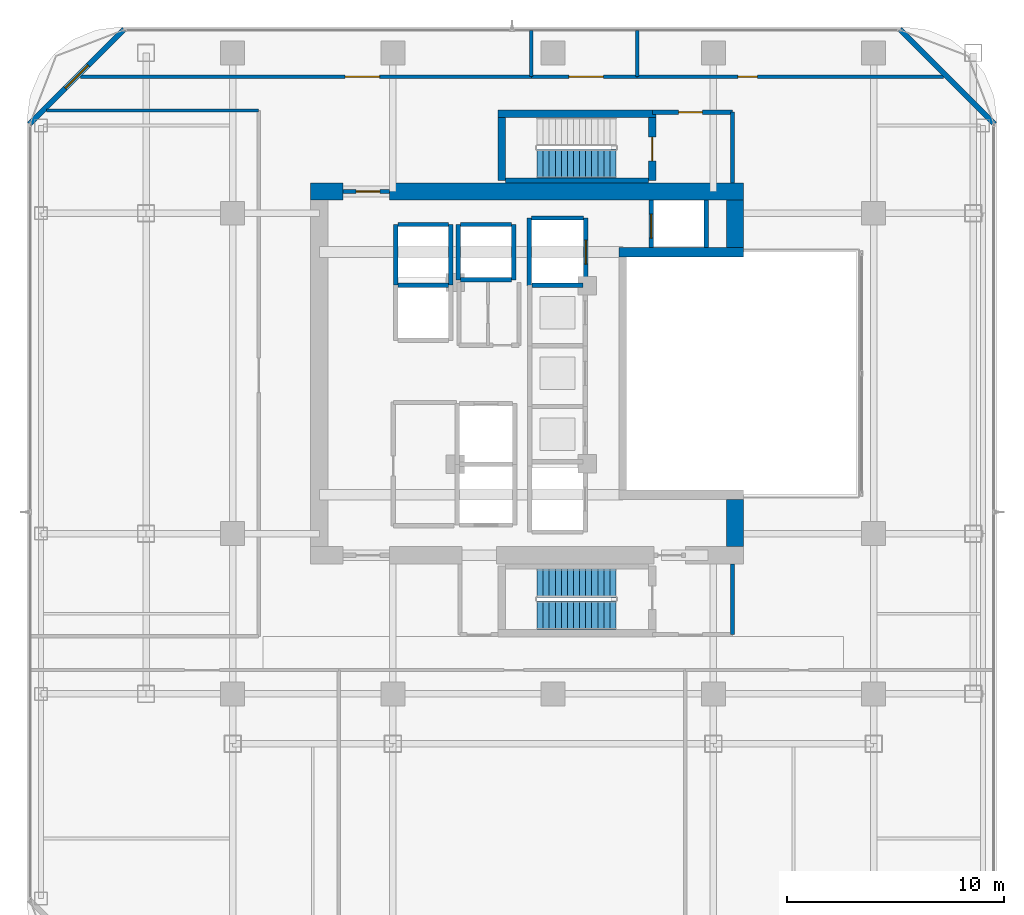
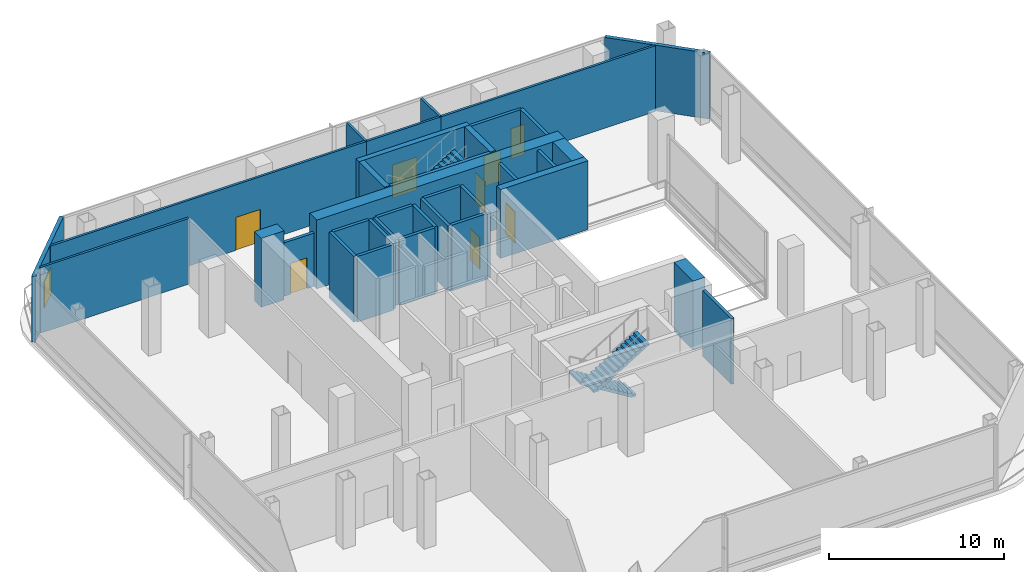
# One storey, part 17 of 22: 35 walls, 8 doors, 3 stair flights, 1 window, 9 openings, 2 elements without a shape of their own.
"""IFC4 building model written with IfcOpenShell, lengths in metres."""

from ifc_helpers import new_model, si_unit, direction, frame, frame_2d, origin, place, context, subcontext, project, spatial, polyline, rectangle, outline, extrude, material, layer, layer_set, type_object, element, fill, aggregate, save


model = new_model("IFC4")

# Units and contexts
model_context = context("Model", 3, precision=1e-05, world=origin(), true_north=direction((0.0, 1.0)))
body_context = subcontext(model_context, "Body", "Model", "MODEL_VIEW")
ifc_project = project(units=[si_unit("LENGTHUNIT", "METRE"), si_unit("AREAUNIT", "SQUARE_METRE"), si_unit("VOLUMEUNIT", "CUBIC_METRE"), si_unit("PLANEANGLEUNIT", "RADIAN"), si_unit("MASSUNIT", "GRAM", prefix="KILO")], contexts=[model_context])

# Site, building, storey
site_placement = place(None, origin())
site = spatial("IfcSite", under=ifc_project, at=site_placement, CompositionType="ELEMENT")
building_placement = place(site_placement, origin())
building = spatial("IfcBuilding", under=site, at=building_placement, Name="Khorvyn Point Tower", CompositionType="ELEMENT")
storey_placement = place(building_placement, frame((0.0, 0.0, 210.89990234375)))
storey = spatial("IfcBuildingStorey", under=building, at=storey_placement, Name="L52", CompositionType="ELEMENT", Elevation=210.89990234375)

# Wall, opening, window
ifc_material_1 = material(Name="Pale anodised aluminium rainscreen on steel stud", Category="steel")
ifc_layer_1 = layer(ifc_material_1, 0.239990234375)
ifc_layer_set_1 = layer_set([ifc_layer_1], Name="Anodised Aluminium Insulated Corner Spandrel Wall 240")
wall_type_1 = type_object("IfcWallType", Name="Anodised Aluminium Insulated Corner Spandrel Wall 240", PredefinedType="SOLIDWALL", material=ifc_layer_set_1)
wall_1_placement = place(storey_placement, frame((-24.1923828125, 11.507568359375, 0.0), z_axis=(0.0, 0.0, 1.0), x_axis=(0.707106781187, 0.707106781187, 0.0)))
wall_1 = element("IfcWall", 1, at=wall_1_placement, inside=storey, type_object=wall_type_1, Name="L52 Rounded Corner Wall NW", PredefinedType="SOLIDWALL", context=body_context, shape_type="SweptSolid", body=[
    extrude(rectangle(XDim=6.200927734375, YDim=0.239990234375, at=frame_2d((3.1005859375, 0.0))), origin(), (0.0, 0.0, 1.0), 4.580078125),
])
opening_1_placement = place(wall_1_placement, frame((2.3505859375, 0.0, 0.800048828125)))
opening_1 = element("IfcOpeningElement", 2, at=opening_1_placement, cuts=wall_1, Name="Opening WN-1518", PredefinedType="OPENING", context=body_context, shape_type="SweptSolid", body=[
    extrude(rectangle(XDim=1.5, YDim=1.85009765625, at=frame_2d((0.75, 0.925048828125))), frame((0.0, 0.1298828125, 0.0), z_axis=(0.0, -1.0, 0.0), x_axis=(1.0, 0.0, 0.0)), (0.0, 0.0, 1.0), 0.260009765625),
])
ifc_material_2 = material(Name="Anodised aluminium 6063-T6 and laminated Low-E glass", Category="aluminium")
window_type = type_object("IfcWindowType", Name="Anodised Aluminium Rounded-Corner Panoramic Window 1500x1850", PartitioningType="SINGLE_PANEL", PredefinedType="WINDOW", material=ifc_material_2)
window_placement = place(opening_1_placement, origin())
window = element("IfcWindow", 3, at=window_placement, inside=storey, type_object=window_type, Name="L52 Corner Panoramic Window NW", OverallHeight=1.85009765625, OverallWidth=1.5, PartitioningType="SINGLE_PANEL", PredefinedType="WINDOW", context=body_context, shape_type="SweptSolid", body=[
    extrude(rectangle(XDim=1.5, YDim=1.85009765625, at=frame_2d((0.75, 0.925048828125))), frame((0.0, 0.030029296875, 0.0), z_axis=(0.0, -1.0, 0.0), x_axis=(1.0, 0.0, 0.0)), (0.0, 0.0, 1.0), 0.06005859375),
])
fill(opening_1, window)

# Walls
wall_2_placement = place(storey_placement, frame((16.007568359375, 15.892333984375, 0.0), z_axis=(0.0, 0.0, 1.0), x_axis=(0.707106781187, -0.707106781187, 0.0)))
element("IfcWall", 4, at=wall_2_placement, inside=storey, type_object=wall_type_1, Name="L52 Rounded Corner Wall NE", PredefinedType="SOLIDWALL", context=body_context, shape_type="SweptSolid", body=[
    extrude(rectangle(XDim=6.200927734375, YDim=0.239990234375, at=frame_2d((3.1005859375, 0.0))), origin(), (0.0, 0.0, 1.0), 4.580078125),
])
ifc_material_3 = material(Name="Concrete C40/50", Category="concrete")
ifc_layer_2 = layer(ifc_material_3, 0.449951171875)
ifc_layer_set_2 = layer_set([ifc_layer_2], Name="Concrete C40/50 Core Shear Wall 450")
wall_type_2 = type_object("IfcWallType", Name="Concrete C40/50 Core Shear Wall 450", PredefinedType="SHEAR", material=ifc_layer_set_2)
wall_3_placement = place(storey_placement, frame((3.044921875, 5.60009765625, 0.0), z_axis=(0.0, 0.0, 1.0), x_axis=(1.0, 0.0, 0.0)))
element("IfcWall", 5, at=wall_3_placement, inside=storey, type_object=wall_type_2, Name="Wall", PredefinedType="SHEAR", context=body_context, shape_type="SweptSolid", body=[
    extrude(rectangle(XDim=5.755126953125, YDim=0.449951171875, at=frame_2d((2.87744140625, 0.0))), origin(), (0.0, 0.0, 1.0), 4.800048828125),
])

# Wall, opening, door
ifc_layer_3 = layer(ifc_material_3, 0.199951171875)
ifc_layer_set_3 = layer_set([ifc_layer_3], Name="Concrete C40/50 Fire-Lobby Compartment Wall 200")
wall_type_3 = type_object("IfcWallType", Name="Concrete C40/50 Fire-Lobby Compartment Wall 200", PredefinedType="SOLIDWALL", material=ifc_layer_set_3)
wall_4_placement = place(storey_placement, frame((4.580078125, 12.06005859375, 0.0), z_axis=(0.0, 0.0, 1.0), x_axis=(1.0, 0.0, 0.0)))
wall_4 = element("IfcWall", 6, at=wall_4_placement, inside=storey, type_object=wall_type_3, Name="Wall", PredefinedType="SOLIDWALL", context=body_context, shape_type="SweptSolid", body=[
    extrude(rectangle(XDim=3.699951171875, YDim=0.199951171875, at=frame_2d((1.85009765625, 0.0))), origin(), (0.0, 0.0, 1.0), 4.580078125),
])
opening_2_placement = place(wall_4_placement, frame((1.21240234375, 0.0, 0.0)))
opening_2 = element("IfcOpeningElement", 7, at=opening_2_placement, cuts=wall_4, Name="Opening ID-FL90", PredefinedType="OPENING", context=body_context, shape_type="SweptSolid", body=[
    extrude(rectangle(XDim=1.10009765625, YDim=2.14990234375, at=frame_2d((0.550048828125, 1.074951171875))), frame((0.0, 0.10986328125, 0.0), z_axis=(0.0, -1.0, 0.0), x_axis=(1.0, 0.0, 0.0)), (0.0, 0.0, 1.0), 0.219970703125),
])
ifc_material_4 = material(Name="Galvanised powder-coated steel", Category="steel")
door_type_1 = type_object("IfcDoorType", Name="Fire-Rated Steel Lobby and Stair Door 1100x2150", OperationType="NOTDEFINED", PredefinedType="DOOR", material=ifc_material_4)
door_1_placement = place(opening_2_placement, origin())
door_1 = element("IfcDoor", 8, at=door_1_placement, inside=storey, type_object=door_type_1, Name="Door", OperationType="SINGLE_SWING_LEFT", OverallHeight=2.14990234375, OverallWidth=1.10009765625, PredefinedType="DOOR", context=body_context, shape_type="SweptSolid", body=[
    extrude(rectangle(XDim=1.10009765625, YDim=2.14990234375, at=frame_2d((0.550048828125, 1.074951171875))), frame((0.0, 0.02490234375, 0.0), z_axis=(0.0, -1.0, 0.0), x_axis=(1.0, 0.0, 0.0)), (0.0, 0.0, 1.0), 0.050048828125),
])
fill(opening_2, door_1)

wall_5_placement = place(storey_placement, frame((-9.699951171875, 8.39990234375, 0.0), z_axis=(0.0, 0.0, 1.0), x_axis=(1.0, 0.0, 0.0)))
wall_5 = element("IfcWall", 9, at=wall_5_placement, inside=storey, type_object=wall_type_3, Name="Wall", PredefinedType="SOLIDWALL", context=body_context, shape_type="SweptSolid", body=[
    extrude(rectangle(XDim=2.14990234375, YDim=0.199951171875, at=frame_2d((1.074951171875, 0.0))), origin(), (0.0, 0.0, 1.0), 3.72021484375),
])
opening_3_placement = place(wall_5_placement, frame((0.597900390625, 0.0, 0.0)))
opening_3 = element("IfcOpeningElement", 10, at=opening_3_placement, cuts=wall_5, Name="Opening ID-FL90", PredefinedType="OPENING", context=body_context, shape_type="SweptSolid", body=[
    extrude(rectangle(XDim=1.10009765625, YDim=2.14990234375, at=frame_2d((0.550048828125, 1.074951171875))), frame((0.0, 0.10986328125, 0.0), z_axis=(0.0, -1.0, 0.0), x_axis=(1.0, 0.0, 0.0)), (0.0, 0.0, 1.0), 0.219970703125),
])
door_2_placement = place(opening_3_placement, origin())
door_2 = element("IfcDoor", 11, at=door_2_placement, inside=storey, type_object=door_type_1, Name="Door", OperationType="SINGLE_SWING_LEFT", OverallHeight=2.14990234375, OverallWidth=1.10009765625, PredefinedType="DOOR", context=body_context, shape_type="SweptSolid", body=[
    extrude(rectangle(XDim=1.10009765625, YDim=2.14990234375, at=frame_2d((0.550048828125, 1.074951171875))), frame((0.0, 0.02490234375, 0.0), z_axis=(0.0, -1.0, 0.0), x_axis=(1.0, 0.0, 0.0)), (0.0, 0.0, 1.0), 0.050048828125),
])
fill(opening_3, door_2)

# Walls
for number, where, z_axis, x_axis, name in (
    (12, (8.280029296875, -12.06005859375, 0.0), (0.0, 0.0, 1.0), (0.0, 1.0, 0.0), "Wall"),
    (13, (8.280029296875, 8.800048828125, 0.0), (0.0, 0.0, 1.0), (0.0, 1.0, 0.0), "Wall"),
):
    element("IfcWall", number, at=place(storey_placement, frame(where, z_axis=z_axis, x_axis=x_axis)), inside=storey, type_object=wall_type_3, Name=name, PredefinedType="SOLIDWALL", context=body_context, shape_type="SweptSolid", body=[
        extrude(rectangle(XDim=3.260009765625, YDim=0.199951171875, at=frame_2d((1.6298828125, 0.0))), origin(), (0.0, 0.0, 1.0), 4.580078125),
    ])
ifc_layer_4 = layer(ifc_material_3, 0.25)
ifc_layer_set_4 = layer_set([ifc_layer_4], Name="Concrete C40/50 Stair Inner Cheek Structural Wall 250")
wall_type_4 = type_object("IfcWallType", Name="Concrete C40/50 Stair Inner Cheek Structural Wall 250", PredefinedType="SHEAR", material=ifc_layer_set_4)
wall_6_placement = place(storey_placement, frame((-2.199951171875, 8.91259765625, 0.0), z_axis=(0.0, 0.0, 1.0), x_axis=(1.0, 0.0, 0.0)))
element("IfcWall", 14, at=wall_6_placement, inside=storey, type_object=wall_type_4, Name="Wall", PredefinedType="SHEAR", context=body_context, shape_type="SweptSolid", body=[
    extrude(rectangle(XDim=6.599853515625, YDim=0.22509765625, at=frame_2d((3.2998046875, 0.0))), origin(), (0.0, 0.0, 1.0), 4.800048828125),
])
ifc_layer_5 = layer(ifc_material_3, 0.35009765625)
ifc_layer_set_5 = layer_set([ifc_layer_5], Name="Concrete C40/50 Stair Shaft Structural Wall 350")
wall_type_5 = type_object("IfcWallType", Name="Concrete C40/50 Stair Shaft Structural Wall 350", PredefinedType="SHEAR", material=ifc_layer_set_5)
wall_7_placement = place(storey_placement, frame((-2.554931640625, 12.0, 0.0), z_axis=(0.0, 0.0, 1.0), x_axis=(1.0, 0.0, 0.0)))
element("IfcWall", 15, at=wall_7_placement, inside=storey, type_object=wall_type_5, Name="L52 ST-02 North Shaft Wall", PredefinedType="SHEAR", context=body_context, shape_type="SweptSolid", body=[
    extrude(rectangle(XDim=7.309814453125, YDim=0.35009765625, at=frame_2d((3.65478515625, 0.0))), origin(), (0.0, 0.0, 1.0), 4.800048828125),
])
wall_8_placement = place(storey_placement, frame((-2.3798828125, 8.89990234375, 0.0), z_axis=(0.0, 0.0, 1.0), x_axis=(0.0, 1.0, 0.0)))
element("IfcWall", 16, at=wall_8_placement, inside=storey, type_object=wall_type_5, Name="L52 ST-02 West Shaft Wall", PredefinedType="SHEAR", context=body_context, shape_type="SweptSolid", body=[
    extrude(rectangle(XDim=2.925048828125, YDim=0.35009765625, at=frame_2d((1.46240234375, 0.0))), origin(), (0.0, 0.0, 1.0), 4.800048828125),
])

# Wall, opening, door
wall_9_placement = place(storey_placement, frame((4.580078125, 11.824951171875, 0.0), z_axis=(0.0, 0.0, 1.0), x_axis=(0.0, -1.0, 0.0)))
wall_9 = element("IfcWall", 17, at=wall_9_placement, inside=storey, type_object=wall_type_5, Name="L52 ST-02 East Landing Door Wall", PredefinedType="SHEAR", context=body_context, shape_type="SweptSolid", body=[
    extrude(rectangle(XDim=2.925048828125, YDim=0.35009765625, at=frame_2d((1.46240234375, 0.0))), origin(), (0.0, 0.0, 1.0), 4.800048828125),
])
opening_4_placement = place(wall_9_placement, frame((0.91259765625, 0.0, 0.0)))
opening_4 = element("IfcOpeningElement", 18, at=opening_4_placement, cuts=wall_9, Name="Opening ID-FL90", PredefinedType="OPENING", context=body_context, shape_type="SweptSolid", body=[
    extrude(rectangle(XDim=1.10009765625, YDim=2.14990234375, at=frame_2d((0.550048828125, 1.074951171875))), frame((0.0, 0.18505859375, 0.0), z_axis=(0.0, -1.0, 0.0), x_axis=(1.0, 0.0, 0.0)), (0.0, 0.0, 1.0), 0.3701171875),
])
door_3_placement = place(opening_4_placement, origin())
door_3 = element("IfcDoor", 19, at=door_3_placement, inside=storey, type_object=door_type_1, Name="L52 ST-02 Smokeproof Landing Door", OperationType="SINGLE_SWING_LEFT", OverallHeight=2.14990234375, OverallWidth=1.10009765625, PredefinedType="DOOR", context=body_context, shape_type="SweptSolid", body=[
    extrude(rectangle(XDim=1.10009765625, YDim=2.14990234375, at=frame_2d((0.550048828125, 1.074951171875))), frame((0.0, 0.02490234375, 0.0), z_axis=(0.0, -1.0, 0.0), x_axis=(1.0, 0.0, 0.0)), (0.0, 0.0, 1.0), 0.050048828125),
])
fill(opening_4, door_3)

# Walls
ifc_layer_6 = layer(ifc_material_3, 0.199951171875)
ifc_layer_set_6 = layer_set([ifc_layer_6], Name="Concrete C40/50 Structural Hoistway and Stair Shaft Wall 200")
wall_type_6 = type_object("IfcWallType", Name="Concrete C40/50 Structural Hoistway and Stair Shaft Wall 200", PredefinedType="SHEAR", material=ifc_layer_set_6)
wall_10_placement = place(storey_placement, frame((-7.175048828125, 4.074951171875, 0.0), z_axis=(0.0, 0.0, 1.0), x_axis=(1.0, 0.0, 0.0)))
element("IfcWall", 20, at=wall_10_placement, inside=storey, type_object=wall_type_6, Name="Wall", PredefinedType="SHEAR", context=body_context, shape_type="SweptSolid", body=[
    extrude(rectangle(XDim=2.35009765625, YDim=0.199951171875, at=frame_2d((1.175048828125, 0.0))), origin(), (0.0, 0.0, 1.0), 4.580078125),
])
for number, where, z_axis, x_axis, name in (
    (21, (-7.27490234375, 4.074951171875, 0.0), (0.0, 0.0, 1.0), (0.0, 1.0, 0.0), "Wall"),
    (22, (-4.72509765625, 4.074951171875, 0.0), (0.0, 0.0, 1.0), (0.0, 1.0, 0.0), "Wall"),
):
    element("IfcWall", number, at=place(storey_placement, frame(where, z_axis=z_axis, x_axis=x_axis)), inside=storey, type_object=wall_type_6, Name=name, PredefinedType="SHEAR", context=body_context, shape_type="SweptSolid", body=[
        extrude(rectangle(XDim=2.800048828125, YDim=0.199951171875, at=frame_2d((1.39990234375, 0.0))), origin(), (0.0, 0.0, 1.0), 4.580078125),
    ])
wall_11_placement = place(storey_placement, frame((-7.175048828125, 6.875, 0.0), z_axis=(0.0, 0.0, 1.0), x_axis=(1.0, 0.0, 0.0)))
element("IfcWall", 23, at=wall_11_placement, inside=storey, type_object=wall_type_6, Name="Wall", PredefinedType="SHEAR", context=body_context, shape_type="SweptSolid", body=[
    extrude(rectangle(XDim=2.35009765625, YDim=0.199951171875, at=frame_2d((1.175048828125, 0.0))), origin(), (0.0, 0.0, 1.0), 4.580078125),
])
for number, where, z_axis, x_axis, name in (
    (24, (-4.375, 4.324951171875, 0.0), (0.0, 0.0, 1.0), (0.0, 1.0, 0.0), "Wall"),
    (25, (-1.824951171875, 4.324951171875, 0.0), (0.0, 0.0, 1.0), (0.0, 1.0, 0.0), "Wall"),
):
    element("IfcWall", number, at=place(storey_placement, frame(where, z_axis=z_axis, x_axis=x_axis)), inside=storey, type_object=wall_type_6, Name=name, PredefinedType="SHEAR", context=body_context, shape_type="SweptSolid", body=[
        extrude(rectangle(XDim=2.550048828125, YDim=0.199951171875, at=frame_2d((1.27490234375, 0.0))), origin(), (0.0, 0.0, 1.0), 4.580078125),
    ])
for number, where, z_axis, x_axis, name in (
    (26, (-4.27490234375, 4.324951171875, 0.0), (0.0, 0.0, 1.0), (1.0, 0.0, 0.0), "Wall"),
    (27, (-4.27490234375, 6.875, 0.0), (0.0, 0.0, 1.0), (1.0, 0.0, 0.0), "Wall"),
):
    element("IfcWall", number, at=place(storey_placement, frame(where, z_axis=z_axis, x_axis=x_axis)), inside=storey, type_object=wall_type_6, Name=name, PredefinedType="SHEAR", context=body_context, shape_type="SweptSolid", body=[
        extrude(rectangle(XDim=2.349853515625, YDim=0.199951171875, at=frame_2d((1.1748046875, 0.0))), origin(), (0.0, 0.0, 1.0), 4.580078125),
    ])
wall_12_placement = place(storey_placement, frame((-0.97509765625, 4.074951171875, 0.0), z_axis=(0.0, 0.0, 1.0), x_axis=(1.0, 0.0, 0.0)))
element("IfcWall", 28, at=wall_12_placement, inside=storey, type_object=wall_type_6, Name="Wall", PredefinedType="SHEAR", context=body_context, shape_type="SweptSolid", body=[
    extrude(rectangle(XDim=2.35009765625, YDim=0.199951171875, at=frame_2d((1.175048828125, 0.0))), origin(), (0.0, 0.0, 1.0), 4.580078125),
])
wall_13_placement = place(storey_placement, frame((-1.10009765625, 4.02490234375, 0.0), z_axis=(0.0, 0.0, 1.0), x_axis=(0.0, 1.0, 0.0)))
element("IfcWall", 29, at=wall_13_placement, inside=storey, type_object=wall_type_6, Name="Wall", PredefinedType="SHEAR", context=body_context, shape_type="SweptSolid", body=[
    extrude(rectangle(XDim=3.150146484375, YDim=0.199951171875, at=frame_2d((1.5751953125, 0.0))), origin(), (0.0, 0.0, 1.0), 4.580078125),
])

# Wall, opening, door
wall_14_placement = place(storey_placement, frame((1.5, 4.02490234375, 0.0), z_axis=(0.0, 0.0, 1.0), x_axis=(0.0, 1.0, 0.0)))
wall_14 = element("IfcWall", 30, at=wall_14_placement, inside=storey, type_object=wall_type_6, Name="Wall", PredefinedType="SHEAR", context=body_context, shape_type="SweptSolid", body=[
    extrude(rectangle(XDim=3.150146484375, YDim=0.199951171875, at=frame_2d((1.5751953125, 0.0))), origin(), (0.0, 0.0, 1.0), 4.580078125),
])
opening_5_placement = place(wall_14_placement, frame((1.02490234375, 0.0, 0.0)))
opening_5 = element("IfcOpeningElement", 31, at=opening_5_placement, cuts=wall_14, Name="Opening LD-1122", PredefinedType="OPENING", context=body_context, shape_type="SweptSolid", body=[
    extrude(rectangle(XDim=1.10009765625, YDim=2.199951171875, at=frame_2d((0.550048828125, 1.10009765625))), frame((0.0, 0.10986328125, 0.0), z_axis=(0.0, -1.0, 0.0), x_axis=(1.0, 0.0, 0.0)), (0.0, 0.0, 1.0), 0.219970703125),
])
ifc_material_5 = material(Name="Stainless steel 1.4301", Category="steel")
door_type_2 = type_object("IfcDoorType", Name="Stainless Steel Automatic Sliding Lift Landing Door 1100x2200", OperationType="SLIDING_TO_LEFT", PredefinedType="DOOR", material=ifc_material_5)
door_4_placement = place(opening_5_placement, origin())
door_4 = element("IfcDoor", 32, at=door_4_placement, inside=storey, type_object=door_type_2, Name="L52 SV-01 Sliding Lift Landing Door", OperationType="SLIDING_TO_LEFT", OverallHeight=2.199951171875, OverallWidth=1.10009765625, PredefinedType="DOOR", context=body_context, shape_type="SweptSolid", body=[
    extrude(rectangle(XDim=1.10009765625, YDim=2.199951171875, at=frame_2d((0.550048828125, 1.10009765625))), frame((0.0, 0.02490234375, 0.0), z_axis=(0.0, -1.0, 0.0), x_axis=(1.0, 0.0, 0.0)), (0.0, 0.0, 1.0), 0.050048828125),
])
fill(opening_5, door_4)

# Wall
wall_15_placement = place(storey_placement, frame((-1.0, 7.175048828125, 0.0), z_axis=(0.0, 0.0, 1.0), x_axis=(1.0, 0.0, 0.0)))
element("IfcWall", 33, at=wall_15_placement, inside=storey, type_object=wall_type_6, Name="Wall", PredefinedType="SHEAR", context=body_context, shape_type="SweptSolid", body=[
    extrude(rectangle(XDim=2.39990234375, YDim=0.199951171875, at=frame_2d((1.199951171875, 0.0))), origin(), (0.0, 0.0, 1.0), 4.580078125),
])

# Wall, opening, door
wall_16_placement = place(storey_placement, frame((4.52490234375, 5.824951171875, 0.0), z_axis=(0.0, 0.0, 1.0), x_axis=(0.0, 1.0, 0.0)))
wall_16 = element("IfcWall", 34, at=wall_16_placement, inside=storey, type_object=wall_type_6, Name="Wall", PredefinedType="SHEAR", context=body_context, shape_type="SweptSolid", body=[
    extrude(rectangle(XDim=2.175048828125, YDim=0.199951171875, at=frame_2d((1.08740234375, 0.0))), origin(), (0.0, 0.0, 1.0), 4.580078125),
])
opening_6_placement = place(wall_16_placement, frame((0.425048828125, 0.0, 0.0)))
opening_6 = element("IfcOpeningElement", 35, at=opening_6_placement, cuts=wall_16, Name="Opening LD-1122", PredefinedType="OPENING", context=body_context, shape_type="SweptSolid", body=[
    extrude(rectangle(XDim=1.10009765625, YDim=2.199951171875, at=frame_2d((0.550048828125, 1.10009765625))), frame((0.0, 0.10986328125, 0.0), z_axis=(0.0, -1.0, 0.0), x_axis=(1.0, 0.0, 0.0)), (0.0, 0.0, 1.0), 0.219970703125),
])
door_5_placement = place(opening_6_placement, origin())
door_5 = element("IfcDoor", 36, at=door_5_placement, inside=storey, type_object=door_type_2, Name="L52 FF-02 Sliding Lift Landing Door", OperationType="SLIDING_TO_LEFT", OverallHeight=2.199951171875, OverallWidth=1.10009765625, PredefinedType="DOOR", context=body_context, shape_type="SweptSolid", body=[
    extrude(rectangle(XDim=1.10009765625, YDim=2.199951171875, at=frame_2d((0.550048828125, 1.10009765625))), frame((0.0, 0.02490234375, 0.0), z_axis=(0.0, -1.0, 0.0), x_axis=(1.0, 0.0, 0.0)), (0.0, 0.0, 1.0), 0.050048828125),
])
fill(opening_6, door_5)

# Walls
wall_17_placement = place(storey_placement, frame((7.074951171875, 5.824951171875, 0.0), z_axis=(0.0, 0.0, 1.0), x_axis=(0.0, 1.0, 0.0)))
element("IfcWall", 37, at=wall_17_placement, inside=storey, type_object=wall_type_6, Name="Wall", PredefinedType="SHEAR", context=body_context, shape_type="SweptSolid", body=[
    extrude(rectangle(XDim=2.175048828125, YDim=0.199951171875, at=frame_2d((1.08740234375, 0.0))), origin(), (0.0, 0.0, 1.0), 4.580078125),
])
ifc_material_6 = material(Name="Concrete C45/55", Category="concrete")
ifc_layer_7 = layer(ifc_material_6, 0.800048828125)
ifc_layer_set_7 = layer_set([ifc_layer_7], Name="Concrete C45/55 Core Shear Wall 800")
wall_type_7 = type_object("IfcWallType", Name="Concrete C45/55 Core Shear Wall 800", PredefinedType="SHEAR", material=ifc_layer_set_7)
wall_18_placement = place(storey_placement, frame((-11.199951171875, 8.39990234375, 0.0), z_axis=(0.0, 0.0, 1.0), x_axis=(1.0, 0.0, 0.0)))
element("IfcWall", 38, at=wall_18_placement, inside=storey, type_object=wall_type_7, Name="Wall", PredefinedType="SHEAR", context=body_context, shape_type="SweptSolid", body=[
    extrude(rectangle(XDim=1.5, YDim=0.800048828125, at=frame_2d((0.75, 0.0))), origin(), (0.0, 0.0, 1.0), 4.800048828125),
])
wall_19_placement = place(storey_placement, frame((-7.550048828125, 8.39990234375, 0.0), z_axis=(0.0, 0.0, 1.0), x_axis=(1.0, 0.0, 0.0)))
element("IfcWall", 39, at=wall_19_placement, inside=storey, type_object=wall_type_7, Name="Wall", PredefinedType="SHEAR", context=body_context, shape_type="SweptSolid", body=[
    extrude(rectangle(XDim=16.35009765625, YDim=0.800048828125, at=frame_2d((8.175048828125, 0.0))), origin(), (0.0, 0.0, 1.0), 4.800048828125),
])
for number, where, z_axis, x_axis, name in (
    (40, (8.39990234375, -8.0, 0.0), (0.0, 0.0, 1.0), (0.0, 1.0, 0.0), "Wall"),
    (41, (8.39990234375, 5.824951171875, 0.0), (0.0, 0.0, 1.0), (0.0, 1.0, 0.0), "Wall"),
):
    element("IfcWall", number, at=place(storey_placement, frame(where, z_axis=z_axis, x_axis=x_axis)), inside=storey, type_object=wall_type_7, Name=name, PredefinedType="SHEAR", context=body_context, shape_type="SweptSolid", body=[
        extrude(rectangle(XDim=2.175048828125, YDim=0.800048828125, at=frame_2d((1.08740234375, 0.0))), origin(), (0.0, 0.0, 1.0), 4.800048828125),
    ])

# Wall, opening, door
ifc_material_7 = material(Name="Moisture-resistant gypsum and cement board", Category="gypsum")
ifc_layer_8 = layer(ifc_material_7, 0.14990234375)
ifc_layer_set_8 = layer_set([ifc_layer_8], Name="Moisture-Resistant Wet-Room Partition Wall 150")
wall_type_8 = type_object("IfcWallType", Name="Moisture-Resistant Wet-Room Partition Wall 150", PredefinedType="PARTITIONING", material=ifc_layer_set_8)
wall_20_placement = place(storey_placement, frame((-21.830078125, 13.699951171875, 0.0), z_axis=(0.0, 0.0, 1.0), x_axis=(1.0, 0.0, 0.0)))
wall_20 = element("IfcWall", 42, at=wall_20_placement, inside=storey, type_object=wall_type_8, Name="Wall", PredefinedType="PARTITIONING", context=body_context, shape_type="SweptSolid", body=[
    extrude(rectangle(XDim=20.820068359375, YDim=0.14990234375, at=frame_2d((10.41015625, 0.0))), origin(), (0.0, 0.0, 1.0), 4.580078125),
])
opening_7_placement = place(wall_20_placement, frame((12.219970703125, 0.0, 0.0)))
opening_7 = element("IfcOpeningElement", 43, at=opening_7_placement, cuts=wall_20, Name="Opening ID-LB30", PredefinedType="OPENING", context=body_context, shape_type="SweptSolid", body=[
    extrude(rectangle(XDim=1.60009765625, YDim=2.300048828125, at=frame_2d((0.800048828125, 1.14990234375))), frame((0.0, 0.0849609375, 0.0), z_axis=(0.0, -1.0, 0.0), x_axis=(1.0, 0.0, 0.0)), (0.0, 0.0, 1.0), 0.169921875),
])
ifc_material_8 = material(Name="Anodised aluminium 6063-T6 and tempered glass", Category="aluminium")
door_type_3 = type_object("IfcDoorType", Name="Glazed Aluminium Sky-Lobby Double Swing Door 1600x2300", OperationType="DOUBLE_DOOR_SINGLE_SWING", PredefinedType="DOOR", material=ifc_material_8)
door_6_placement = place(opening_7_placement, origin())
door_6 = element("IfcDoor", 44, at=door_6_placement, inside=storey, type_object=door_type_3, Name="Door", OperationType="SINGLE_SWING_LEFT", OverallHeight=2.300048828125, OverallWidth=1.60009765625, PredefinedType="DOOR", context=body_context, shape_type="SweptSolid", body=[
    extrude(rectangle(XDim=1.60009765625, YDim=2.300048828125, at=frame_2d((0.800048828125, 1.14990234375))), frame((0.0, 0.02490234375, 0.0), z_axis=(0.0, -1.0, 0.0), x_axis=(1.0, 0.0, 0.0)), (0.0, 0.0, 1.0), 0.050048828125),
])
fill(opening_7, door_6)

wall_21_placement = place(storey_placement, frame((-1.010009765625, 13.699951171875, 0.0), z_axis=(0.0, 0.0, 1.0), x_axis=(1.0, 0.0, 0.0)))
wall_21 = element("IfcWall", 45, at=wall_21_placement, inside=storey, type_object=wall_type_8, Name="Wall", PredefinedType="PARTITIONING", context=body_context, shape_type="SweptSolid", body=[
    extrude(rectangle(XDim=4.89208984375, YDim=0.14990234375, at=frame_2d((2.446044921875, 0.0))), origin(), (0.0, 0.0, 1.0), 4.580078125),
])
opening_8_placement = place(wall_21_placement, frame((1.7333984375, 0.0, 0.0)))
opening_8 = element("IfcOpeningElement", 46, at=opening_8_placement, cuts=wall_21, Name="Opening ID-LB30", PredefinedType="OPENING", context=body_context, shape_type="SweptSolid", body=[
    extrude(rectangle(XDim=1.60009765625, YDim=2.300048828125, at=frame_2d((0.800048828125, 1.14990234375))), frame((0.0, 0.0849609375, 0.0), z_axis=(0.0, -1.0, 0.0), x_axis=(1.0, 0.0, 0.0)), (0.0, 0.0, 1.0), 0.169921875),
])
door_7_placement = place(opening_8_placement, origin())
door_7 = element("IfcDoor", 47, at=door_7_placement, inside=storey, type_object=door_type_3, Name="Door", OperationType="SINGLE_SWING_LEFT", OverallHeight=2.300048828125, OverallWidth=1.60009765625, PredefinedType="DOOR", context=body_context, shape_type="SweptSolid", body=[
    extrude(rectangle(XDim=1.60009765625, YDim=2.300048828125, at=frame_2d((0.800048828125, 1.14990234375))), frame((0.0, 0.02490234375, 0.0), z_axis=(0.0, -1.0, 0.0), x_axis=(1.0, 0.0, 0.0)), (0.0, 0.0, 1.0), 0.050048828125),
])
fill(opening_8, door_7)

wall_22_placement = place(storey_placement, frame((3.882080078125, 13.699951171875, 0.0), z_axis=(0.0, 0.0, 1.0), x_axis=(1.0, 0.0, 0.0)))
wall_22 = element("IfcWall", 48, at=wall_22_placement, inside=storey, type_object=wall_type_8, Name="Wall", PredefinedType="PARTITIONING", context=body_context, shape_type="SweptSolid", body=[
    extrude(rectangle(XDim=14.14794921875, YDim=0.14990234375, at=frame_2d((7.073974609375, 0.0))), origin(), (0.0, 0.0, 1.0), 4.580078125),
])
opening_9_placement = place(wall_22_placement, frame((4.64892578125, 0.0, 0.0)))
opening_9 = element("IfcOpeningElement", 49, at=opening_9_placement, cuts=wall_22, Name="Opening ID-RM90", PredefinedType="OPENING", context=body_context, shape_type="SweptSolid", body=[
    extrude(rectangle(XDim=0.89990234375, YDim=2.10009765625, at=frame_2d((0.449951171875, 1.050048828125))), frame((0.0, 0.0849609375, 0.0), z_axis=(0.0, -1.0, 0.0), x_axis=(1.0, 0.0, 0.0)), (0.0, 0.0, 1.0), 0.169921875),
])
ifc_material_9 = material(Name="Engineered oak veneer timber", Category="wood")
door_type_4 = type_object("IfcDoorType", Name="Flush Engineered Timber Room Door 900x2100", OperationType="NOTDEFINED", PredefinedType="DOOR", material=ifc_material_9)
door_8_placement = place(opening_9_placement, origin())
door_8 = element("IfcDoor", 50, at=door_8_placement, inside=storey, type_object=door_type_4, Name="Door", OperationType="SINGLE_SWING_RIGHT", OverallHeight=2.10009765625, OverallWidth=0.89990234375, PredefinedType="DOOR", context=body_context, shape_type="SweptSolid", body=[
    extrude(rectangle(XDim=0.89990234375, YDim=2.10009765625, at=frame_2d((0.449951171875, 1.050048828125))), frame((0.0, 0.02490234375, 0.0), z_axis=(0.0, -1.0, 0.0), x_axis=(1.0, 0.0, 0.0)), (0.0, 0.0, 1.0), 0.050048828125),
])
fill(opening_9, door_8)

# Walls
for number, where, z_axis, x_axis, name in (
    (51, (-1.010009765625, 13.699951171875, 0.0), (0.0, 0.0, 1.0), (0.0, 1.0, 0.0), "Wall"),
    (52, (3.882080078125, 13.699951171875, 0.0), (0.0, 0.0, 1.0), (0.0, 1.0, 0.0), "Wall"),
):
    element("IfcWall", number, at=place(storey_placement, frame(where, z_axis=z_axis, x_axis=x_axis)), inside=storey, type_object=wall_type_8, Name=name, PredefinedType="PARTITIONING", context=body_context, shape_type="SweptSolid", body=[
        extrude(rectangle(XDim=2.130126953125, YDim=0.14990234375, at=frame_2d((1.06494140625, 0.0))), origin(), (0.0, 0.0, 1.0), 4.580078125),
    ])
wall_23_placement = place(storey_placement, frame((-23.389892578125, 12.139892578125, 0.0), z_axis=(0.0, 0.0, 1.0), x_axis=(1.0, 0.0, 0.0)))
element("IfcWall", 53, at=wall_23_placement, inside=storey, type_object=wall_type_8, Name="Wall", PredefinedType="PARTITIONING", context=body_context, shape_type="SweptSolid", body=[
    extrude(rectangle(XDim=9.789794921875, YDim=0.14990234375, at=frame_2d((4.89501953125, 0.0))), origin(), (0.0, 0.0, 1.0), 4.580078125),
])

# Stair, stair flights
stair_type = type_object("IfcStairType", Name="Tower Concrete C40/50 Dogleg Exit Stair", PredefinedType="HALF_TURN_STAIR", material=ifc_material_3)
stair_1_placement = place(storey_placement, origin())
stair_1 = element("IfcStair", 54, at=stair_1_placement, inside=storey, type_object=stair_type, Name="L52 Tower Smokeproof Exit Stair South", PredefinedType="HALF_TURN_STAIR")
stair_flight_type = type_object("IfcStairFlightType", Name="Tower Concrete C40/50 Stair Flight", PredefinedType="STRAIGHT", material=ifc_material_3)
stair_flight_1_placement = place(storey_placement, frame((2.89990234375, -9.679931640625, 0.0), z_axis=(0.0, 0.0, 1.0), x_axis=(-1.0, 0.0, 0.0)))
stair_flight_1 = element("IfcStairFlight", 55, at=stair_flight_1_placement, type_object=stair_flight_type, Name="ST-01 flight 1", NumberOfRisers=14, NumberOfTreads=13, PredefinedType="STRAIGHT", RiserHeight=0.171428571, TreadLength=0.28, context=body_context, shape_type="SweptSolid", body=[
    extrude(outline(polyline([(0.0, 0.0), (0.0, 0.17138671875), (0.280029296875, 0.17138671875), (0.280029296875, 0.3427734375), (0.56005859375, 0.3427734375), (0.56005859375, 0.514404296875), (0.840087890625, 0.514404296875), (0.840087890625, 0.685791015625), (1.1201171875, 0.685791015625), (1.1201171875, 0.857177734375), (1.39990234375, 0.857177734375), (1.39990234375, 1.028564453125), (1.679931640625, 1.028564453125), (1.679931640625, 1.199951171875), (1.9599609375, 1.199951171875), (1.9599609375, 1.371337890625), (2.239990234375, 1.371337890625), (2.239990234375, 1.54296875), (2.52001953125, 1.54296875), (2.52001953125, 1.71435546875), (2.800048828125, 1.71435546875), (2.800048828125, 1.8857421875), (3.080078125, 1.8857421875), (3.080078125, 2.05712890625), (3.360107421875, 2.05712890625), (3.360107421875, 2.228515625), (3.639892578125, 2.228515625), (3.639892578125, 2.39990234375), (3.639892578125, 2.052734375), (0.287109375, 0.0), (0.0, 0.0)])), frame((0.0, 0.66015625, 0.0), z_axis=(0.0, -1.0, 0.0), x_axis=(1.0, 0.0, 0.0)), (0.0, 0.0, 1.0), 1.320068359375),
])
stair_flight_2_placement = place(storey_placement, frame((-0.739990234375, -11.159912109375, 2.400146484375), z_axis=(0.0, 0.0, 1.0), x_axis=(1.0, 0.0, 0.0)))
stair_flight_2 = element("IfcStairFlight", 56, at=stair_flight_2_placement, type_object=stair_flight_type, Name="ST-01 flight 2", NumberOfRisers=14, NumberOfTreads=13, PredefinedType="STRAIGHT", RiserHeight=0.171428571, TreadLength=0.28, context=body_context, shape_type="SweptSolid", body=[
    extrude(outline(polyline([(0.0, 0.0), (0.0, 0.17138671875), (0.280029296875, 0.17138671875), (0.280029296875, 0.3427734375), (0.56005859375, 0.3427734375), (0.56005859375, 0.514404296875), (0.840087890625, 0.514404296875), (0.840087890625, 0.685791015625), (1.1201171875, 0.685791015625), (1.1201171875, 0.857177734375), (1.39990234375, 0.857177734375), (1.39990234375, 1.028564453125), (1.679931640625, 1.028564453125), (1.679931640625, 1.199951171875), (1.9599609375, 1.199951171875), (1.9599609375, 1.371337890625), (2.239990234375, 1.371337890625), (2.239990234375, 1.54296875), (2.52001953125, 1.54296875), (2.52001953125, 1.71435546875), (2.800048828125, 1.71435546875), (2.800048828125, 1.8857421875), (3.080078125, 1.8857421875), (3.080078125, 2.05712890625), (3.360107421875, 2.05712890625), (3.360107421875, 2.228515625), (3.639892578125, 2.228515625), (3.639892578125, 2.39990234375), (3.639892578125, 2.052734375), (0.287109375, 0.0), (0.0, 0.0)])), frame((0.0, 0.66015625, 0.0), z_axis=(0.0, -1.0, 0.0), x_axis=(1.0, 0.0, 0.0)), (0.0, 0.0, 1.0), 1.320068359375),
])
aggregate(stair_1, [stair_flight_1, stair_flight_2])

# Stair, stair flight
stair_2_placement = place(storey_placement, origin())
stair_2 = element("IfcStair", 57, at=stair_2_placement, inside=storey, type_object=stair_type, Name="L52 Tower Smokeproof Exit Stair North", PredefinedType="HALF_TURN_STAIR")
stair_flight_3_placement = place(storey_placement, frame((-0.739990234375, 9.679931640625, 2.400146484375), z_axis=(0.0, 0.0, 1.0), x_axis=(1.0, 0.0, 0.0)))
stair_flight_3 = element("IfcStairFlight", 58, at=stair_flight_3_placement, type_object=stair_flight_type, Name="ST-02 flight 2", NumberOfRisers=14, NumberOfTreads=13, PredefinedType="STRAIGHT", RiserHeight=0.171428571, TreadLength=0.28, context=body_context, shape_type="SweptSolid", body=[
    extrude(outline(polyline([(0.0, 0.0), (0.0, 0.17138671875), (0.280029296875, 0.17138671875), (0.280029296875, 0.3427734375), (0.56005859375, 0.3427734375), (0.56005859375, 0.514404296875), (0.840087890625, 0.514404296875), (0.840087890625, 0.685791015625), (1.1201171875, 0.685791015625), (1.1201171875, 0.857177734375), (1.39990234375, 0.857177734375), (1.39990234375, 1.028564453125), (1.679931640625, 1.028564453125), (1.679931640625, 1.199951171875), (1.9599609375, 1.199951171875), (1.9599609375, 1.371337890625), (2.239990234375, 1.371337890625), (2.239990234375, 1.54296875), (2.52001953125, 1.54296875), (2.52001953125, 1.71435546875), (2.800048828125, 1.71435546875), (2.800048828125, 1.8857421875), (3.080078125, 1.8857421875), (3.080078125, 2.05712890625), (3.360107421875, 2.05712890625), (3.360107421875, 2.228515625), (3.639892578125, 2.228515625), (3.639892578125, 2.39990234375), (3.639892578125, 2.052734375), (0.287109375, 0.0), (0.0, 0.0)])), frame((0.0, 0.66015625, 0.0), z_axis=(0.0, -1.0, 0.0), x_axis=(1.0, 0.0, 0.0)), (0.0, 0.0, 1.0), 1.320068359375),
])
aggregate(stair_2, [stair_flight_3])

save(model, "model.ifc")
